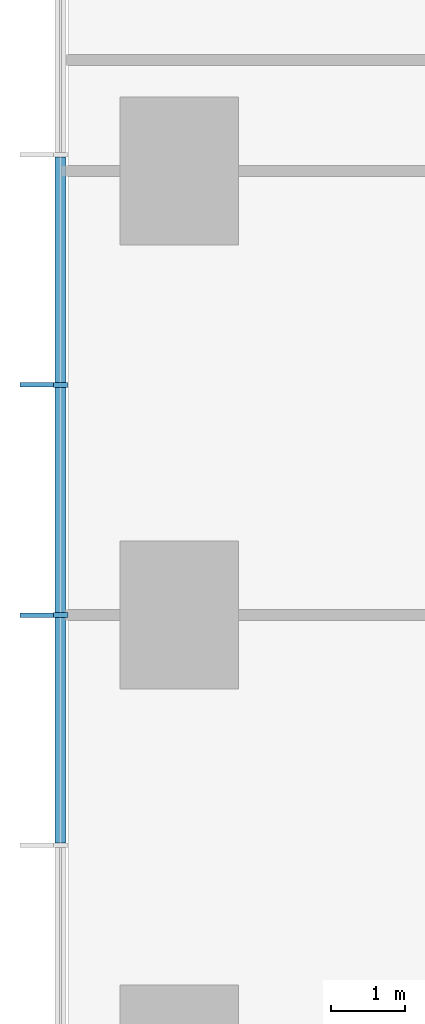
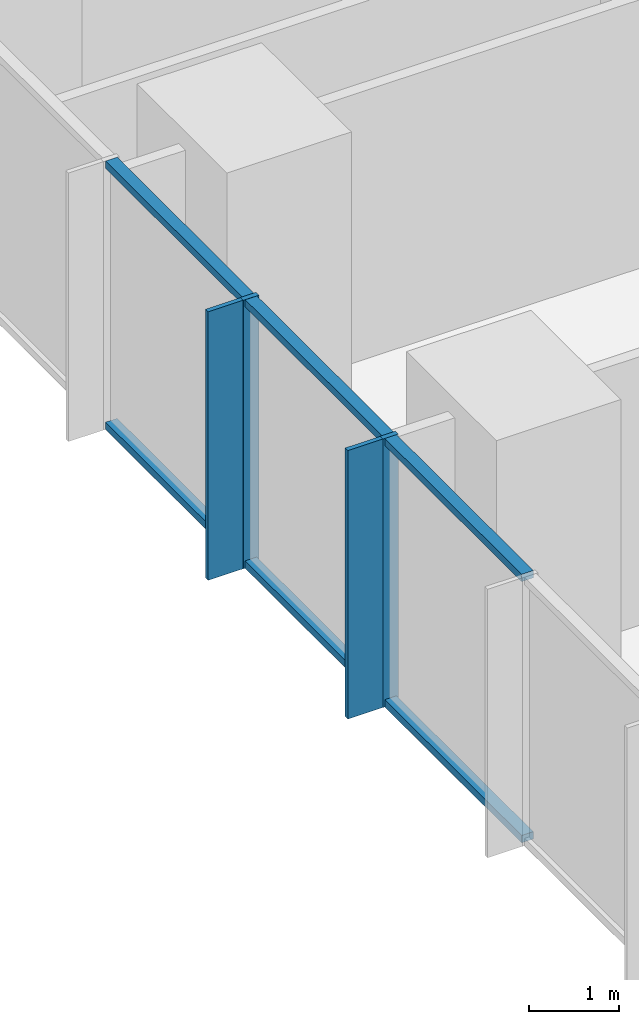
# One storey, part 3 of 12: 10 members, 1 element without a shape of its own.
"""IFC4 building model written with IfcOpenShell, lengths in metres."""

from ifc_helpers import new_model, si_unit, direction, frame, origin, origin_2d, place, context, subcontext, project, spatial, rectangle, extrude, material, layer, layer_set, material_profile, profile_set, type_object, element, aggregate, save


model = new_model("IFC4")

# Units and contexts
model_context = context("Model", 3, precision=1e-05, world=origin(), true_north=direction((0.0, 1.0)))
body_context = subcontext(model_context, "Body", "Model", "MODEL_VIEW")
ifc_project = project(units=[si_unit("LENGTHUNIT", "METRE"), si_unit("AREAUNIT", "SQUARE_METRE"), si_unit("VOLUMEUNIT", "CUBIC_METRE"), si_unit("PLANEANGLEUNIT", "RADIAN"), si_unit("MASSUNIT", "GRAM", prefix="KILO")], contexts=[model_context])

# Site, building, storey
site_placement = place(None, origin())
site = spatial("IfcSite", under=ifc_project, at=site_placement, CompositionType="ELEMENT")
building_placement = place(site_placement, origin())
building = spatial("IfcBuilding", under=site, at=building_placement, Name="Highveld Stack Headquarters", CompositionType="ELEMENT")
storey_placement = place(building_placement, frame((0.0, 0.0, 37.699951171875)))
storey = spatial("IfcBuildingStorey", under=building, at=storey_placement, Name="L08", CompositionType="ELEMENT", Elevation=37.699951171875)

# Curtain wall, members
ifc_material_1 = material(Name="Aluminium bronze anodised", Category="aluminium")
ifc_layer = layer(ifc_material_1, 0.199951171875)
ifc_layer_set = layer_set([ifc_layer], Name="Aluminium bronze anodised")
curtain_wall_type = type_object("IfcCurtainWallType", Name="CW1 TOWER UNITISED CURTAIN WALL", PredefinedType="NOTDEFINED", material=ifc_layer_set)
curtain_wall_placement = place(storey_placement, origin())
curtain_wall = element("IfcCurtainWall", 1, at=curtain_wall_placement, inside=storey, type_object=curtain_wall_type, Name="Curtain wall CW1 L08 W", PredefinedType="NOTDEFINED")
ifc_material_2 = material(Name="Aluminium bronze anodised", Category="aluminium")
ifc_material_profile_1 = material_profile(ifc_material_2, rectangle(XDim=0.449951171875, YDim=0.06005859375, at=origin_2d()), Name="FIN 450x60")
ifc_profile_set_1 = profile_set([ifc_material_profile_1], Name="Aluminium bronze anodised")
member_type_1 = type_object("IfcMemberType", Name="CW1 BRONZE FIN 450x60", PredefinedType="USERDEFINED", material=ifc_profile_set_1)
member_1_placement = place(storey_placement, frame((-25.925048828125, 3.110595703125, 0.0), z_axis=(0.0, 0.0, 1.0), x_axis=(1.0, 0.0, 0.0)))
member_1 = element("IfcMember", 2, at=member_1_placement, type_object=member_type_1, Name="CW1 fin L08 6", ObjectType="FIN", PredefinedType="USERDEFINED", context=body_context, shape_type="SweptSolid", body=[
    extrude(rectangle(XDim=0.449951171875, YDim=0.06005859375, at=origin_2d()), origin(), (0.0, 0.0, 1.0), 3.650146484375),
])
member_2_placement = place(storey_placement, frame((-25.925048828125, 0.0, 0.0), z_axis=(0.0, 0.0, 1.0), x_axis=(1.0, 0.0, 0.0)))
member_2 = element("IfcMember", 3, at=member_2_placement, type_object=member_type_1, Name="CW1 fin L08 7", ObjectType="FIN", PredefinedType="USERDEFINED", context=body_context, shape_type="SweptSolid", body=[
    extrude(rectangle(XDim=0.449951171875, YDim=0.06005859375, at=origin_2d()), origin(), (0.0, 0.0, 1.0), 3.650146484375),
])
ifc_material_3 = material(Name="Aluminium bronze anodised", Category="aluminium")
ifc_material_profile_2 = material_profile(ifc_material_3, rectangle(XDim=0.199951171875, YDim=0.06494140625, at=origin_2d()), Name="CW1 MULLION 65x200")
ifc_profile_set_2 = profile_set([ifc_material_profile_2], Name="Aluminium bronze anodised")
member_type_2 = type_object("IfcMemberType", Name="CW1 MULLION 65x200", PredefinedType="MULLION", material=ifc_profile_set_2)
member_3_placement = place(storey_placement, frame((-25.60009765625, 3.110595703125, 0.0), z_axis=(0.0, 0.0, 1.0), x_axis=(1.0, 0.0, 0.0)))
member_3 = element("IfcMember", 4, at=member_3_placement, type_object=member_type_2, Name="CW1 mullion L08 6", PredefinedType="MULLION", context=body_context, shape_type="SweptSolid", body=[
    extrude(rectangle(XDim=0.199951171875, YDim=0.06494140625, at=origin_2d()), origin(), (0.0, 0.0, 1.0), 3.650146484375),
])
member_4_placement = place(storey_placement, frame((-25.60009765625, 0.0, 0.0), z_axis=(0.0, 0.0, 1.0), x_axis=(1.0, 0.0, 0.0)))
member_4 = element("IfcMember", 5, at=member_4_placement, type_object=member_type_2, Name="CW1 mullion L08 7", PredefinedType="MULLION", context=body_context, shape_type="SweptSolid", body=[
    extrude(rectangle(XDim=0.199951171875, YDim=0.06494140625, at=origin_2d()), origin(), (0.0, 0.0, 1.0), 3.650146484375),
])
ifc_material_4 = material(Name="Aluminium bronze anodised", Category="aluminium")
ifc_material_profile_3 = material_profile(ifc_material_4, rectangle(XDim=0.14990234375, YDim=0.10009765625, at=origin_2d()), Name="CW1 TRANSOM 150x100")
ifc_profile_set_3 = profile_set([ifc_material_profile_3], Name="Aluminium bronze anodised")
member_type_3 = type_object("IfcMemberType", Name="CW1 STACK TRANSOM 150x100", PredefinedType="USERDEFINED", material=ifc_profile_set_3)
member_5_placement = place(storey_placement, frame((-25.60009765625, 6.1884765625, 0.050048828125), z_axis=(0.0, -1.0, 0.0), x_axis=(1.0, 0.0, 0.0)))
member_5 = element("IfcMember", 6, at=member_5_placement, type_object=member_type_3, Name="CW1 transom L08 5.1", ObjectType="TRANSOM", PredefinedType="USERDEFINED", context=body_context, shape_type="SweptSolid", body=[
    extrude(rectangle(XDim=0.14990234375, YDim=0.10009765625, at=origin_2d()), origin(), (0.0, 0.0, 1.0), 3.04541015625),
])
member_6_placement = place(storey_placement, frame((-25.60009765625, 6.1884765625, 3.60009765625), z_axis=(0.0, -1.0, 0.0), x_axis=(1.0, 0.0, 0.0)))
member_6 = element("IfcMember", 7, at=member_6_placement, type_object=member_type_3, Name="CW1 transom L08 5.2", ObjectType="TRANSOM", PredefinedType="USERDEFINED", context=body_context, shape_type="SweptSolid", body=[
    extrude(rectangle(XDim=0.14990234375, YDim=0.10009765625, at=origin_2d()), origin(), (0.0, 0.0, 1.0), 3.04541015625),
])
member_7_placement = place(storey_placement, frame((-25.60009765625, 3.077880859375, 0.050048828125), z_axis=(0.0, -1.0, 0.0), x_axis=(1.0, 0.0, 0.0)))
member_7 = element("IfcMember", 8, at=member_7_placement, type_object=member_type_3, Name="CW1 transom L08 6.1", ObjectType="TRANSOM", PredefinedType="USERDEFINED", context=body_context, shape_type="SweptSolid", body=[
    extrude(rectangle(XDim=0.14990234375, YDim=0.10009765625, at=origin_2d()), origin(), (0.0, 0.0, 1.0), 3.04541015625),
])
member_8_placement = place(storey_placement, frame((-25.60009765625, 3.077880859375, 3.60009765625), z_axis=(0.0, -1.0, 0.0), x_axis=(1.0, 0.0, 0.0)))
member_8 = element("IfcMember", 9, at=member_8_placement, type_object=member_type_3, Name="CW1 transom L08 6.2", ObjectType="TRANSOM", PredefinedType="USERDEFINED", context=body_context, shape_type="SweptSolid", body=[
    extrude(rectangle(XDim=0.14990234375, YDim=0.10009765625, at=origin_2d()), origin(), (0.0, 0.0, 1.0), 3.04541015625),
])
member_9_placement = place(storey_placement, frame((-25.60009765625, -0.032470703125, 0.050048828125), z_axis=(0.0, -1.0, 0.0), x_axis=(1.0, 0.0, 0.0)))
member_9 = element("IfcMember", 10, at=member_9_placement, type_object=member_type_3, Name="CW1 transom L08 7.1", ObjectType="TRANSOM", PredefinedType="USERDEFINED", context=body_context, shape_type="SweptSolid", body=[
    extrude(rectangle(XDim=0.14990234375, YDim=0.10009765625, at=origin_2d()), origin(), (0.0, 0.0, 1.0), 3.04541015625),
])
member_10_placement = place(storey_placement, frame((-25.60009765625, -0.032470703125, 3.60009765625), z_axis=(0.0, -1.0, 0.0), x_axis=(1.0, 0.0, 0.0)))
member_10 = element("IfcMember", 11, at=member_10_placement, type_object=member_type_3, Name="CW1 transom L08 7.2", ObjectType="TRANSOM", PredefinedType="USERDEFINED", context=body_context, shape_type="SweptSolid", body=[
    extrude(rectangle(XDim=0.14990234375, YDim=0.10009765625, at=origin_2d()), origin(), (0.0, 0.0, 1.0), 3.04541015625),
])
aggregate(curtain_wall, [member_3, member_1, member_4, member_2, member_5, member_6, member_7, member_8, member_9, member_10])

save(model, "model.ifc")
